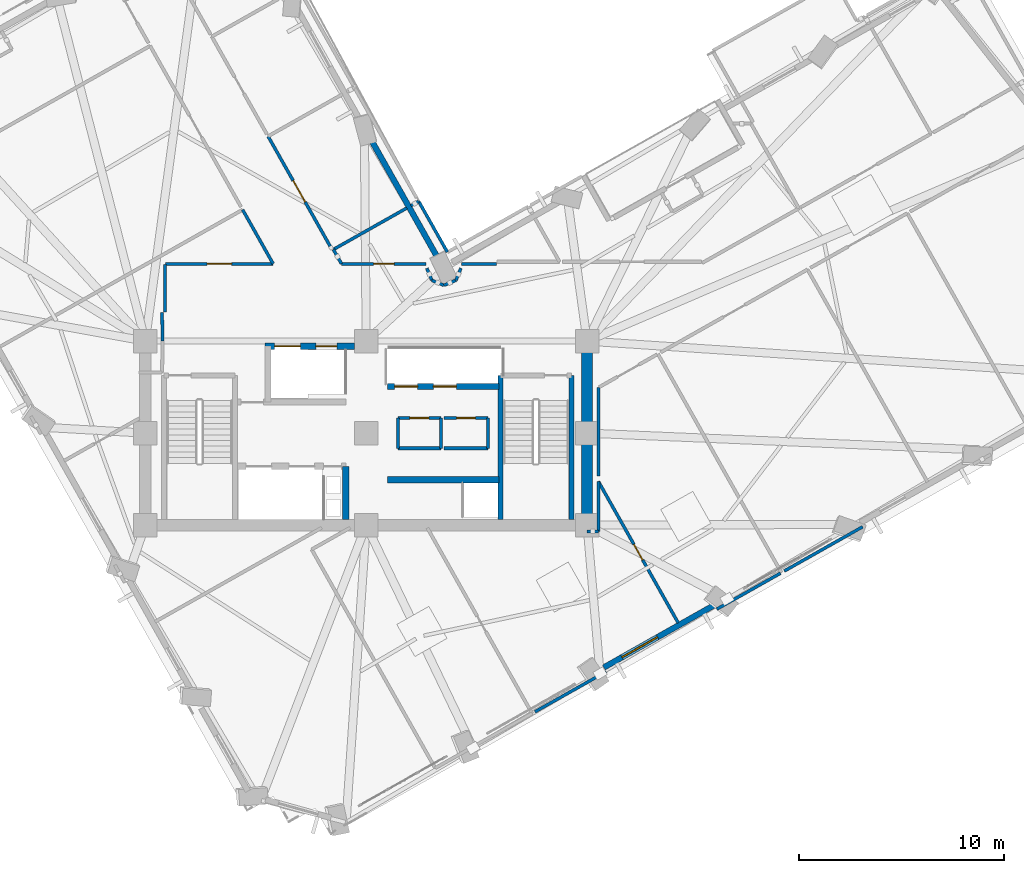
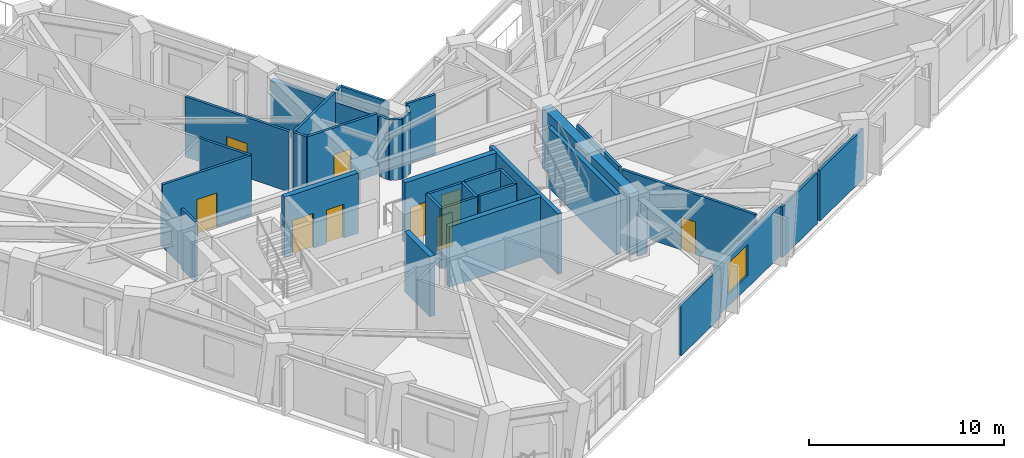
# One storey, part 11 of 18: 38 walls, 10 doors, 1 window, 11 openings.
"""IFC4 building model written with IfcOpenShell, lengths in metres."""

from ifc_helpers import new_model, si_unit, direction, frame, frame_2d, origin, place, context, subcontext, project, spatial, rectangle, extrude, material, layer, layer_set, type_object, element, fill, save


model = new_model("IFC4")

# Units and contexts
model_context = context("Model", 3, precision=1e-05, world=origin(), true_north=direction((0.0, 1.0)))
body_context = subcontext(model_context, "Body", "Model", "MODEL_VIEW")
ifc_project = project(units=[si_unit("LENGTHUNIT", "METRE"), si_unit("AREAUNIT", "SQUARE_METRE"), si_unit("VOLUMEUNIT", "CUBIC_METRE"), si_unit("PLANEANGLEUNIT", "RADIAN"), si_unit("MASSUNIT", "GRAM", prefix="KILO")], contexts=[model_context])

# Site, building, storey
site_placement = place(None, origin())
site = spatial("IfcSite", under=ifc_project, at=site_placement, CompositionType="ELEMENT")
building_placement = place(site_placement, origin())
building = spatial("IfcBuilding", under=site, at=building_placement, Name="Gaonmaruhae Medical Tower", CompositionType="ELEMENT")
storey_placement = place(building_placement, frame((0.0, 0.0, 149.800048828125)))
storey = spatial("IfcBuildingStorey", under=building, at=storey_placement, Name="L35", CompositionType="ELEMENT", Elevation=149.800048828125)

# Wall
ifc_material_1 = material(Name="Concrete C50/60", Category="concrete")
ifc_layer_1 = layer(ifc_material_1, 0.550048828125)
ifc_layer_set_1 = layer_set([ifc_layer_1], Name="Concrete C50/60")
wall_type_1 = type_object("IfcWallType", Name="CW-550 Mid-High Core Shear Wall", PredefinedType="SHEAR", material=ifc_layer_set_1)
wall_1_placement = place(storey_placement, frame((35.60009765625, 7.800048828125, 0.0), z_axis=(0.0, 0.0, 1.0), x_axis=(0.0, 1.0, 0.0)))
element("IfcWall", 1, at=wall_1_placement, inside=storey, type_object=wall_type_1, Name="L35 Core Shear Wall CSW-E1", PredefinedType="SHEAR", context=body_context, shape_type="SweptSolid", body=[
    extrude(rectangle(XDim=9.0, YDim=0.550048828125, at=frame_2d((4.5, 0.0))), origin(), (0.0, 0.0, 1.0), 3.780029296875),
])

# Wall, opening, window
ifc_material_2 = material(Name="Precast concrete C45/55", Category="concrete")
ifc_layer_2 = layer(ifc_material_2, 0.280029296875)
ifc_layer_set_2 = layer_set([ifc_layer_2], Name="Precast concrete C45/55")
wall_type_2 = type_object("IfcWallType", Name="EW-280 Upper Precast Masonry-Frame Facade Wall", PredefinedType="SOLIDWALL", material=ifc_layer_set_2)
wall_2_placement = place(storey_placement, frame((41.830322265625, 3.8955078125, 0.0), z_axis=(0.0, 0.0, 1.0), x_axis=(-0.870772762929, -0.491685667211, 0.0)))
wall_2 = element("IfcWall", 2, at=wall_2_placement, inside=storey, type_object=wall_type_2, Name="L35 Precast Masonry-Frame Wall S03-S04", PredefinedType="SOLIDWALL", context=body_context, shape_type="SweptSolid", body=[
    extrude(rectangle(XDim=6.214111328125, YDim=0.280029296875, at=frame_2d((3.10693359375, 0.0))), origin(), (0.0, 0.0, 1.0), 3.1650390625),
])
opening_1_placement = place(wall_2_placement, frame((3.197509765625, 0.0, 0.75)))
opening_1 = element("IfcOpeningElement", 3, at=opening_1_placement, cuts=wall_2, Name="Opening WN-02", PredefinedType="OPENING", context=body_context, shape_type="SweptSolid", body=[
    extrude(rectangle(XDim=2.0, YDim=1.949951171875, at=frame_2d((1.0, 0.97509765625))), frame((0.0, 0.14990234375, 0.0), z_axis=(0.0, -1.0, 0.0), x_axis=(1.0, 0.0, 0.0)), (0.0, 0.0, 1.0), 0.300048828125),
])
ifc_material_3 = material(Name="Anodised aluminium and Low-E double glazing", Category="aluminium")
window_type = type_object("IfcWindowType", Name="WN-02 Double-Bed Ward Punched Window 2000x1950", PartitioningType="SINGLE_PANEL", PredefinedType="WINDOW", material=ifc_material_3)
window_placement = place(opening_1_placement, origin())
window = element("IfcWindow", 4, at=window_placement, inside=storey, type_object=window_type, Name="L35 Modular Facade Window S03", OverallHeight=1.949951171875, OverallWidth=2.0, PartitioningType="SINGLE_PANEL", PredefinedType="WINDOW", context=body_context, shape_type="SweptSolid", body=[
    extrude(rectangle(XDim=2.0, YDim=1.949951171875, at=frame_2d((1.0, 0.97509765625))), frame((0.0, 0.030029296875, 0.0), z_axis=(0.0, -1.0, 0.0), x_axis=(1.0, 0.0, 0.0)), (0.0, 0.0, 1.0), 0.06005859375),
])
fill(opening_1, window)

# Walls
wall_3_placement = place(storey_placement, frame((28.3427734375, 20.788818359375, 0.0), z_axis=(0.0, 0.0, 1.0), x_axis=(-0.491647818014, 0.87079413356, 0.0)))
element("IfcWall", 5, at=wall_3_placement, inside=storey, type_object=wall_type_2, Name="L35 Precast Masonry-Frame Wall KN01-NE01", PredefinedType="SOLIDWALL", context=body_context, shape_type="SweptSolid", body=[
    extrude(rectangle(XDim=6.760009765625, YDim=0.280029296875, at=frame_2d((3.3798828125, 0.0))), origin(), (0.0, 0.0, 1.0), 3.1650390625),
])
ifc_material_4 = material(Name="Gypsum board partition", Category="gypsum")
ifc_layer_3 = layer(ifc_material_4, 0.14990234375)
ifc_layer_set_3 = layer_set([ifc_layer_3], Name="Gypsum board partition")
wall_type_3 = type_object("IfcWallType", Name="PW-150 Rated Clinical Corridor Partition", PredefinedType="PARTITIONING", material=ifc_layer_set_3)
wall_4_placement = place(storey_placement, frame((26.35009765625, 11.56005859375, 0.0), z_axis=(0.0, 0.0, 1.0), x_axis=(0.0, 1.0, 0.0)))
element("IfcWall", 6, at=wall_4_placement, inside=storey, type_object=wall_type_3, Name="L35 Interior Partition L35-CS1-1", PredefinedType="PARTITIONING", context=body_context, shape_type="SweptSolid", body=[
    extrude(rectangle(XDim=1.47998046875, YDim=0.14990234375, at=frame_2d((0.739990234375, 0.0))), origin(), (0.0, 0.0, 1.0), 3.780029296875),
])

# Wall, opening, door
wall_5_placement = place(storey_placement, frame((26.35009765625, 13.0400390625, 0.0), z_axis=(0.0, 0.0, 1.0), x_axis=(1.0, 0.0, 0.0)))
wall_5 = element("IfcWall", 7, at=wall_5_placement, inside=storey, type_object=wall_type_3, Name="L35 Interior Partition L35-CS1-2", PredefinedType="PARTITIONING", context=body_context, shape_type="SweptSolid", body=[
    extrude(rectangle(XDim=2.099853515625, YDim=0.14990234375, at=frame_2d((1.0498046875, 0.0))), origin(), (0.0, 0.0, 1.0), 3.780029296875),
])
opening_2_placement = place(wall_5_placement, frame((0.590087890625, 0.0, 0.0)))
opening_2 = element("IfcOpeningElement", 8, at=opening_2_placement, cuts=wall_5, Name="Opening UD-01", PredefinedType="OPENING", context=body_context, shape_type="SweptSolid", body=[
    extrude(rectangle(XDim=0.919921875, YDim=2.10009765625, at=frame_2d((0.4599609375, 1.050048828125))), frame((0.0, 0.0849609375, 0.0), z_axis=(0.0, -1.0, 0.0), x_axis=(1.0, 0.0, 0.0)), (0.0, 0.0, 1.0), 0.169921875),
])
ifc_material_5 = material(Name="Powder-coated steel utility door", Category="steel")
door_type_1 = type_object("IfcDoorType", Name="UD-01 Toilet, Utility & Housekeeping Door 920x2100", OperationType="NOTDEFINED", PredefinedType="DOOR", material=ifc_material_5)
door_1_placement = place(opening_2_placement, origin())
door_1 = element("IfcDoor", 9, at=door_1_placement, inside=storey, type_object=door_type_1, Name="L35 Accessible Staff Toilet Door", OperationType="SINGLE_SWING_LEFT", OverallHeight=2.10009765625, OverallWidth=0.919921875, PredefinedType="DOOR", context=body_context, shape_type="SweptSolid", body=[
    extrude(rectangle(XDim=0.919921875, YDim=2.10009765625, at=frame_2d((0.4599609375, 1.050048828125))), frame((0.0, 0.02490234375, 0.0), z_axis=(0.0, -1.0, 0.0), x_axis=(1.0, 0.0, 0.0)), (0.0, 0.0, 1.0), 0.050048828125),
])
fill(opening_2, door_1)

# Walls
wall_6_placement = place(storey_placement, frame((28.449951171875, 13.0400390625, 0.0), z_axis=(0.0, 0.0, 1.0), x_axis=(0.0, -1.0, 0.0)))
element("IfcWall", 10, at=wall_6_placement, inside=storey, type_object=wall_type_3, Name="L35 Interior Partition L35-CS1-3", PredefinedType="PARTITIONING", context=body_context, shape_type="SweptSolid", body=[
    extrude(rectangle(XDim=1.47998046875, YDim=0.14990234375, at=frame_2d((0.739990234375, 0.0))), origin(), (0.0, 0.0, 1.0), 3.780029296875),
])
wall_7_placement = place(storey_placement, frame((28.449951171875, 11.56005859375, 0.0), z_axis=(0.0, 0.0, 1.0), x_axis=(-1.0, 0.0, 0.0)))
element("IfcWall", 11, at=wall_7_placement, inside=storey, type_object=wall_type_3, Name="L35 Interior Partition L35-CS1-4", PredefinedType="PARTITIONING", context=body_context, shape_type="SweptSolid", body=[
    extrude(rectangle(XDim=2.099853515625, YDim=0.14990234375, at=frame_2d((1.0498046875, 0.0))), origin(), (0.0, 0.0, 1.0), 3.780029296875),
])

# Wall, opening, door
wall_8_placement = place(storey_placement, frame((28.60009765625, 13.0400390625, 0.0), z_axis=(0.0, 0.0, 1.0), x_axis=(1.0, 0.0, 0.0)))
wall_8 = element("IfcWall", 12, at=wall_8_placement, inside=storey, type_object=wall_type_3, Name="L35 Interior Partition L35-CS2-5", PredefinedType="PARTITIONING", context=body_context, shape_type="SweptSolid", body=[
    extrude(rectangle(XDim=2.14990234375, YDim=0.14990234375, at=frame_2d((1.074951171875, 0.0))), origin(), (0.0, 0.0, 1.0), 3.780029296875),
])
opening_3_placement = place(wall_8_placement, frame((0.614990234375, 0.0, 0.0)))
opening_3 = element("IfcOpeningElement", 13, at=opening_3_placement, cuts=wall_8, Name="Opening UD-01", PredefinedType="OPENING", context=body_context, shape_type="SweptSolid", body=[
    extrude(rectangle(XDim=0.919921875, YDim=2.10009765625, at=frame_2d((0.4599609375, 1.050048828125))), frame((0.0, 0.0849609375, 0.0), z_axis=(0.0, -1.0, 0.0), x_axis=(1.0, 0.0, 0.0)), (0.0, 0.0, 1.0), 0.169921875),
])
door_2_placement = place(opening_3_placement, origin())
door_2 = element("IfcDoor", 14, at=door_2_placement, inside=storey, type_object=door_type_1, Name="L35 Biomedical Telemetry Closet Door", OperationType="SINGLE_SWING_RIGHT", OverallHeight=2.10009765625, OverallWidth=0.919921875, PredefinedType="DOOR", context=body_context, shape_type="SweptSolid", body=[
    extrude(rectangle(XDim=0.919921875, YDim=2.10009765625, at=frame_2d((0.4599609375, 1.050048828125))), frame((0.0, 0.02490234375, 0.0), z_axis=(0.0, -1.0, 0.0), x_axis=(1.0, 0.0, 0.0)), (0.0, 0.0, 1.0), 0.050048828125),
])
fill(opening_3, door_2)

# Walls
wall_9_placement = place(storey_placement, frame((30.75, 13.0400390625, 0.0), z_axis=(0.0, 0.0, 1.0), x_axis=(0.0, -1.0, 0.0)))
element("IfcWall", 15, at=wall_9_placement, inside=storey, type_object=wall_type_3, Name="L35 Interior Partition L35-CS2-6", PredefinedType="PARTITIONING", context=body_context, shape_type="SweptSolid", body=[
    extrude(rectangle(XDim=1.47998046875, YDim=0.14990234375, at=frame_2d((0.739990234375, 0.0))), origin(), (0.0, 0.0, 1.0), 3.780029296875),
])
wall_10_placement = place(storey_placement, frame((30.75, 11.56005859375, 0.0), z_axis=(0.0, 0.0, 1.0), x_axis=(-1.0, 0.0, 0.0)))
element("IfcWall", 16, at=wall_10_placement, inside=storey, type_object=wall_type_3, Name="L35 Interior Partition L35-CS2-7", PredefinedType="PARTITIONING", context=body_context, shape_type="SweptSolid", body=[
    extrude(rectangle(XDim=2.14990234375, YDim=0.14990234375, at=frame_2d((1.074951171875, 0.0))), origin(), (0.0, 0.0, 1.0), 3.780029296875),
])

# Wall, opening, door
wall_11_placement = place(storey_placement, frame((36.14990234375, 9.94091796875, 0.0), z_axis=(0.0, 0.0, 1.0), x_axis=(0.491673321282, -0.870779733997, 0.0)))
wall_11 = element("IfcWall", 17, at=wall_11_placement, inside=storey, type_object=wall_type_3, Name="L35 Interior Partition L35-SUP03-12", PredefinedType="PARTITIONING", context=body_context, shape_type="SweptSolid", body=[
    extrude(rectangle(XDim=7.9423828125, YDim=0.14990234375, at=frame_2d((3.97119140625, 0.0))), origin(), (0.0, 0.0, 1.0), 3.780029296875),
])
opening_4_placement = place(wall_11_placement, frame((3.541015625, 0.0, 0.0)))
opening_4 = element("IfcOpeningElement", 18, at=opening_4_placement, cuts=wall_11, Name="Opening AD-01", PredefinedType="OPENING", context=body_context, shape_type="SweptSolid", body=[
    extrude(rectangle(XDim=0.860107421875, YDim=2.06005859375, at=frame_2d((0.43017578125, 1.030029296875))), frame((0.0, 0.0849609375, 0.0), z_axis=(0.0, -1.0, 0.0), x_axis=(1.0, 0.0, 0.0)), (0.0, 0.0, 1.0), 0.169921875),
])
ifc_material_6 = material(Name="Powder-coated steel access door", Category="steel")
door_type_2 = type_object("IfcDoorType", Name="AD-01 Riser & Closet Access Fire Door 860x2060", OperationType="NOTDEFINED", PredefinedType="DOOR", material=ifc_material_6)
door_3_placement = place(opening_4_placement, origin())
door_3 = element("IfcDoor", 19, at=door_3_placement, inside=storey, type_object=door_type_2, Name="L35 Clinical Biomedical Charting Office Sliding Door", OperationType="SLIDING_TO_LEFT", OverallHeight=2.06005859375, OverallWidth=0.860107421875, PredefinedType="DOOR", context=body_context, shape_type="SweptSolid", body=[
    extrude(rectangle(XDim=0.860107421875, YDim=2.06005859375, at=frame_2d((0.43017578125, 1.030029296875))), frame((0.0, 0.02490234375, 0.0), z_axis=(0.0, -1.0, 0.0), x_axis=(1.0, 0.0, 0.0)), (0.0, 0.0, 1.0), 0.050048828125),
])
fill(opening_4, door_3)

# Walls
wall_12_placement = place(storey_placement, frame((36.531982421875, 0.639892578125, 0.0), z_axis=(0.0, 0.0, 1.0), x_axis=(-0.870756026747, -0.491715305725, 0.0)))
element("IfcWall", 20, at=wall_12_placement, inside=storey, type_object=wall_type_3, Name="L35 Interior Partition L35-SUP03-13", PredefinedType="PARTITIONING", context=body_context, shape_type="SweptSolid", body=[
    extrude(rectangle(XDim=3.999755859375, YDim=0.14990234375, at=frame_2d((2.0, 0.0))), origin(), (0.0, 0.0, 1.0), 3.1650390625),
])
wall_13_placement = place(storey_placement, frame((35.60009765625, 7.5, 0.0), z_axis=(0.0, 0.0, 1.0), x_axis=(1.0, 0.0, 0.0)))
element("IfcWall", 21, at=wall_13_placement, inside=storey, type_object=wall_type_3, Name="L35 Interior Partition L35-SUP03-14", PredefinedType="PARTITIONING", context=body_context, shape_type="SweptSolid", body=[
    extrude(rectangle(XDim=0.5498046875, YDim=0.14990234375, at=frame_2d((0.27490234375, 0.0))), origin(), (0.0, 0.0, 1.0), 2.764892578125),
])
wall_14_placement = place(storey_placement, frame((36.14990234375, 7.5, 0.0), z_axis=(0.0, 0.0, 1.0), x_axis=(0.0, 1.0, 0.0)))
element("IfcWall", 22, at=wall_14_placement, inside=storey, type_object=wall_type_3, Name="L35 Interior Partition L35-SUP03-15", PredefinedType="PARTITIONING", context=body_context, shape_type="SweptSolid", body=[
    extrude(rectangle(XDim=2.44091796875, YDim=0.14990234375, at=frame_2d((1.220458984375, 0.0))), origin(), (0.0, 0.0, 1.0), 2.764892578125),
])
wall_15_placement = place(storey_placement, frame((45.056884765625, 5.452880859375, 0.0), z_axis=(0.0, 0.0, 1.0), x_axis=(-0.87075356708, -0.49171966141, 0.0)))
element("IfcWall", 23, at=wall_15_placement, inside=storey, type_object=wall_type_3, Name="L35 Interior Partition L35-SUP04-17", PredefinedType="PARTITIONING", context=body_context, shape_type="SweptSolid", body=[
    extrude(rectangle(XDim=3.57470703125, YDim=0.14990234375, at=frame_2d((1.787353515625, 0.0))), origin(), (0.0, 0.0, 1.0), 3.1650390625),
])
wall_16_placement = place(storey_placement, frame((36.14990234375, 10.195068359375, 0.0), z_axis=(0.0, 0.0, 1.0), x_axis=(0.0, 1.0, 0.0)))
element("IfcWall", 24, at=wall_16_placement, inside=storey, type_object=wall_type_3, Name="L35 Interior Partition L35-SUP04-18", PredefinedType="PARTITIONING", context=body_context, shape_type="SweptSolid", body=[
    extrude(rectangle(XDim=4.330810546875, YDim=0.14990234375, at=frame_2d((2.16552734375, 0.0))), origin(), (0.0, 0.0, 1.0), 3.780029296875),
])
wall_17_placement = place(storey_placement, frame((49.074951171875, 7.721923828125, 0.0), z_axis=(0.0, 0.0, 1.0), x_axis=(-0.870810528697, -0.491618778233, 0.0)))
element("IfcWall", 25, at=wall_17_placement, inside=storey, type_object=wall_type_3, Name="L35 Interior Partition L35-SUP05-22", PredefinedType="PARTITIONING", context=body_context, shape_type="SweptSolid", body=[
    extrude(rectangle(XDim=4.40380859375, YDim=0.14990234375, at=frame_2d((2.201904296875, 0.0))), origin(), (0.0, 0.0, 1.0), 3.1650390625),
])
wall_18_placement = place(storey_placement, frame((14.969970703125, 20.550048828125, 0.0), z_axis=(0.0, 0.0, 1.0), x_axis=(0.0, -1.0, 0.0)))
element("IfcWall", 26, at=wall_18_placement, inside=storey, type_object=wall_type_3, Name="L35 Interior Partition L35-WOF09-37", PredefinedType="PARTITIONING", context=body_context, shape_type="SweptSolid", body=[
    extrude(rectangle(XDim=2.320068359375, YDim=0.14990234375, at=frame_2d((1.16015625, 0.0))), origin(), (0.0, 0.0, 1.0), 2.764892578125),
])
wall_19_placement = place(storey_placement, frame((14.820068359375, 18.199951171875, 0.0), z_axis=(0.0, 0.0, 1.0), x_axis=(0.01499656939, -0.99988754513, 0.0)))
element("IfcWall", 27, at=wall_19_placement, inside=storey, type_object=wall_type_3, Name="L35 Interior Partition L35-WOF09-38", PredefinedType="PARTITIONING", context=body_context, shape_type="SweptSolid", body=[
    extrude(rectangle(XDim=1.400146484375, YDim=0.14990234375, at=frame_2d((0.7001953125, 0.0))), origin(), (0.0, 0.0, 1.0), 3.780029296875),
])
wall_20_placement = place(storey_placement, frame((18.757080078125, 23.22412109375, 0.0), z_axis=(0.0, 0.0, 1.0), x_axis=(0.491673041497, -0.870779891973, 0.0)))
element("IfcWall", 28, at=wall_20_placement, inside=storey, type_object=wall_type_3, Name="L35 Interior Partition L35-WOF09-43", PredefinedType="PARTITIONING", context=body_context, shape_type="SweptSolid", body=[
    extrude(rectangle(XDim=3.036376953125, YDim=0.14990234375, at=frame_2d((1.51806640625, 0.0))), origin(), (0.0, 0.0, 1.0), 3.780029296875),
])

# Wall, opening, door
wall_21_placement = place(storey_placement, frame((20.25, 20.580078125, 0.0), z_axis=(0.0, 0.0, 1.0), x_axis=(-1.0, 0.0, 0.0)))
wall_21 = element("IfcWall", 29, at=wall_21_placement, inside=storey, type_object=wall_type_3, Name="L35 Interior Partition L35-WOF09-44", PredefinedType="PARTITIONING", context=body_context, shape_type="SweptSolid", body=[
    extrude(rectangle(XDim=5.2529296875, YDim=0.14990234375, at=frame_2d((2.62646484375, 0.0))), origin(), (0.0, 0.0, 1.0), 3.780029296875),
])
opening_5_placement = place(wall_21_placement, frame((2.026611328125, 0.0, 0.0)))
opening_5 = element("IfcOpeningElement", 30, at=opening_5_placement, cuts=wall_21, Name="Opening CD-02", PredefinedType="OPENING", context=body_context, shape_type="SweptSolid", body=[
    extrude(rectangle(XDim=1.199951171875, YDim=2.14990234375, at=frame_2d((0.60009765625, 1.074951171875))), frame((0.0, 0.0849609375, 0.0), z_axis=(0.0, -1.0, 0.0), x_axis=(1.0, 0.0, 0.0)), (0.0, 0.0, 1.0), 0.169921875),
])
ifc_material_7 = material(Name="Antimicrobial laminate timber fire door", Category="wood")
door_type_3 = type_object("IfcDoorType", Name="CD-02 Clinical Treatment & Procedure Door 1200x2150", OperationType="NOTDEFINED", PredefinedType="DOOR", material=ifc_material_7)
door_4_placement = place(opening_5_placement, origin())
door_4 = element("IfcDoor", 31, at=door_4_placement, inside=storey, type_object=door_type_3, Name="L35 Ward Physician Reporting Office Door", OperationType="SINGLE_SWING_RIGHT", OverallHeight=2.14990234375, OverallWidth=1.199951171875, PredefinedType="DOOR", context=body_context, shape_type="SweptSolid", body=[
    extrude(rectangle(XDim=1.199951171875, YDim=2.14990234375, at=frame_2d((0.60009765625, 1.074951171875))), frame((0.0, 0.02490234375, 0.0), z_axis=(0.0, -1.0, 0.0), x_axis=(1.0, 0.0, 0.0)), (0.0, 0.0, 1.0), 0.050048828125),
])
fill(opening_5, door_4)

# Walls
wall_22_placement = place(storey_placement, frame((31.169921875, 20.580078125, 0.0), z_axis=(0.0, 0.0, 1.0), x_axis=(-0.999999834995, -0.000574464935, 0.0)))
element("IfcWall", 32, at=wall_22_placement, inside=storey, type_object=wall_type_3, Name="L35 Interior Partition L35-IE01-63", PredefinedType="PARTITIONING", context=body_context, shape_type="SweptSolid", body=[
    extrude(rectangle(XDim=1.699951171875, YDim=0.14990234375, at=frame_2d((0.85009765625, 0.0))), origin(), (0.0, 0.0, 1.0), 3.780029296875),
])
wall_23_placement = place(storey_placement, frame((29.430908203125, 20.363037109375, 0.0), z_axis=(0.0, 0.0, 1.0), x_axis=(-0.383285413275, -0.923629954024, 0.0)))
element("IfcWall", 33, at=wall_23_placement, inside=storey, type_object=wall_type_3, Name="L35 Interior Partition L35-IE01-64", PredefinedType="PARTITIONING", context=body_context, shape_type="SweptSolid", body=[
    extrude(rectangle(XDim=0.638916015625, YDim=0.14990234375, at=frame_2d((0.3193359375, 0.0))), origin(), (0.0, 0.0, 1.0), 3.780029296875),
])
wall_24_placement = place(storey_placement, frame((29.18603515625, 19.77294921875, 0.0), z_axis=(0.0, 0.0, 1.0), x_axis=(-0.923946844683, -0.382520885967, 0.0)))
element("IfcWall", 34, at=wall_24_placement, inside=storey, type_object=wall_type_3, Name="L35 Interior Partition L35-IE01-65", PredefinedType="PARTITIONING", context=body_context, shape_type="SweptSolid", body=[
    extrude(rectangle(XDim=0.6376953125, YDim=0.14990234375, at=frame_2d((0.31884765625, 0.0))), origin(), (0.0, 0.0, 1.0), 3.780029296875),
])
wall_25_placement = place(storey_placement, frame((28.596923828125, 19.529052734375, 0.0), z_axis=(0.0, 0.0, 1.0), x_axis=(-0.924114659462, 0.382115291723, 0.0)))
element("IfcWall", 35, at=wall_25_placement, inside=storey, type_object=wall_type_3, Name="L35 Interior Partition L35-IE01-66", PredefinedType="PARTITIONING", context=body_context, shape_type="SweptSolid", body=[
    extrude(rectangle(XDim=0.63818359375, YDim=0.14990234375, at=frame_2d((0.319091796875, 0.0))), origin(), (0.0, 0.0, 1.0), 3.780029296875),
])
wall_26_placement = place(storey_placement, frame((28.007080078125, 19.77294921875, 0.0), z_axis=(0.0, 0.0, 1.0), x_axis=(-0.382306769343, 0.924035461503, 0.0)))
element("IfcWall", 36, at=wall_26_placement, inside=storey, type_object=wall_type_3, Name="L35 Interior Partition L35-IE01-67", PredefinedType="PARTITIONING", context=body_context, shape_type="SweptSolid", body=[
    extrude(rectangle(XDim=0.638671875, YDim=0.14990234375, at=frame_2d((0.3193359375, 0.0))), origin(), (0.0, 0.0, 1.0), 3.780029296875),
])

# Wall, opening, door
wall_27_placement = place(storey_placement, frame((27.72705078125, 20.5791015625, 0.0), z_axis=(0.0, 0.0, 1.0), x_axis=(-0.999999972112, 0.000236169327, 0.0)))
wall_27 = element("IfcWall", 37, at=wall_27_placement, inside=storey, type_object=wall_type_3, Name="L35 Interior Partition L35-IE01-68", PredefinedType="PARTITIONING", context=body_context, shape_type="SweptSolid", body=[
    extrude(rectangle(XDim=4.135009765625, YDim=0.14990234375, at=frame_2d((2.0673828125, 0.0))), origin(), (0.0, 0.0, 1.0), 3.780029296875),
])
opening_6_placement = place(wall_27_placement, frame((1.5673828125, 0.0, 0.0)))
opening_6 = element("IfcOpeningElement", 38, at=opening_6_placement, cuts=wall_27, Name="Opening CD-01", PredefinedType="OPENING", context=body_context, shape_type="SweptSolid", body=[
    extrude(rectangle(XDim=1.0, YDim=2.1201171875, at=frame_2d((0.5, 1.06005859375))), frame((0.0, 0.0849609375, 0.0), z_axis=(0.0, -1.0, 0.0), x_axis=(1.0, 0.0, 0.0)), (0.0, 0.0, 1.0), 0.169921875),
])
door_type_4 = type_object("IfcDoorType", Name="CD-01 Consultation & Physician Office Door 1000x2120", OperationType="NOTDEFINED", PredefinedType="DOOR", material=ifc_material_7)
door_5_placement = place(opening_6_placement, origin())
door_5 = element("IfcDoor", 39, at=door_5_placement, inside=storey, type_object=door_type_4, Name="L35 Central Clinical Nurse Station Door", OperationType="SINGLE_SWING_RIGHT", OverallHeight=2.1201171875, OverallWidth=1.0, PredefinedType="DOOR", context=body_context, shape_type="SweptSolid", body=[
    extrude(rectangle(XDim=1.0, YDim=2.1201171875, at=frame_2d((0.5, 1.06005859375))), frame((0.0, 0.02490234375, 0.0), z_axis=(0.0, -1.0, 0.0), x_axis=(1.0, 0.0, 0.0)), (0.0, 0.0, 1.0), 0.050048828125),
])
fill(opening_6, door_5)

# Walls
wall_28_placement = place(storey_placement, frame((23.592041015625, 20.580078125, 0.0), z_axis=(0.0, 0.0, 1.0), x_axis=(-0.492407334618, 0.870364875678, 0.0)))
element("IfcWall", 40, at=wall_28_placement, inside=storey, type_object=wall_type_3, Name="L35 Interior Partition L35-IE01-69", PredefinedType="PARTITIONING", context=body_context, shape_type="SweptSolid", body=[
    extrude(rectangle(XDim=0.80419921875, YDim=0.14990234375, at=frame_2d((0.402099609375, 0.0))), origin(), (0.0, 0.0, 1.0), 3.780029296875),
])
wall_29_placement = place(storey_placement, frame((23.196044921875, 21.280029296875, 0.0), z_axis=(0.0, 0.0, 1.0), x_axis=(0.870792023314, 0.491651555609, 0.0)))
element("IfcWall", 41, at=wall_29_placement, inside=storey, type_object=wall_type_3, Name="L35 Interior Partition L35-IE01-70", PredefinedType="PARTITIONING", context=body_context, shape_type="SweptSolid", body=[
    extrude(rectangle(XDim=4.125, YDim=0.14990234375, at=frame_2d((2.0625, 0.0))), origin(), (0.0, 0.0, 1.0), 3.780029296875),
])
wall_30_placement = place(storey_placement, frame((26.989013671875, 23.4208984375, 0.0), z_axis=(0.0, 0.0, 1.0), x_axis=(0.870070398862, 0.492927480492, 0.0)))
element("IfcWall", 42, at=wall_30_placement, inside=storey, type_object=wall_type_3, Name="L35 Interior Partition L35-IE01-71", PredefinedType="PARTITIONING", context=body_context, shape_type="SweptSolid", body=[
    extrude(rectangle(XDim=0.434326171875, YDim=0.14990234375, at=frame_2d((0.21728515625, 0.0))), origin(), (0.0, 0.0, 1.0), 3.780029296875),
])
wall_31_placement = place(storey_placement, frame((27.366943359375, 23.635009765625, 0.0), z_axis=(0.0, 0.0, 1.0), x_axis=(0.49186251725, -0.87067288009, 0.0)))
element("IfcWall", 43, at=wall_31_placement, inside=storey, type_object=wall_type_3, Name="L35 Interior Partition L35-IE01-72", PredefinedType="PARTITIONING", context=body_context, shape_type="SweptSolid", body=[
    extrude(rectangle(XDim=2.8505859375, YDim=0.14990234375, at=frame_2d((1.42529296875, 0.0))), origin(), (0.0, 0.0, 1.0), 3.780029296875),
])

# Wall, opening, door
wall_32_placement = place(storey_placement, frame((23.041015625, 21.43310546875, 0.0), z_axis=(0.0, 0.0, 1.0), x_axis=(-0.49170838603, 0.870759934258, 0.0)))
wall_32 = element("IfcWall", 44, at=wall_32_placement, inside=storey, type_object=wall_type_3, Name="L35 Interior Partition L35-IN01-96", PredefinedType="PARTITIONING", context=body_context, shape_type="SweptSolid", body=[
    extrude(rectangle(XDim=6.1806640625, YDim=0.14990234375, at=frame_2d((3.09033203125, 0.0))), origin(), (0.0, 0.0, 1.0), 3.780029296875),
])
opening_7_placement = place(wall_32_placement, frame((2.490478515625, 0.0, 0.0)))
opening_7 = element("IfcOpeningElement", 45, at=opening_7_placement, cuts=wall_32, Name="Opening CD-02", PredefinedType="OPENING", context=body_context, shape_type="SweptSolid", body=[
    extrude(rectangle(XDim=1.199951171875, YDim=2.14990234375, at=frame_2d((0.60009765625, 1.074951171875))), frame((0.0, 0.0849609375, 0.0), z_axis=(0.0, -1.0, 0.0), x_axis=(1.0, 0.0, 0.0)), (0.0, 0.0, 1.0), 0.169921875),
])
door_6_placement = place(opening_7_placement, origin())
door_6 = element("IfcDoor", 46, at=door_6_placement, inside=storey, type_object=door_type_3, Name="L35 Physician Consultation Office Door", OperationType="SINGLE_SWING_LEFT", OverallHeight=2.14990234375, OverallWidth=1.199951171875, PredefinedType="DOOR", context=body_context, shape_type="SweptSolid", body=[
    extrude(rectangle(XDim=1.199951171875, YDim=2.14990234375, at=frame_2d((0.60009765625, 1.074951171875))), frame((0.0, 0.02490234375, 0.0), z_axis=(0.0, -1.0, 0.0), x_axis=(1.0, 0.0, 0.0)), (0.0, 0.0, 1.0), 0.050048828125),
])
fill(opening_7, door_6)

# Walls
ifc_layer_4 = layer(ifc_material_1, 0.239990234375)
ifc_layer_set_4 = layer_set([ifc_layer_4], Name="Concrete C50/60")
wall_type_4 = type_object("IfcWallType", Name="SW-240 Dogleg Stair Tight Shaft Wall", PredefinedType="SOLIDWALL", material=ifc_layer_set_4)
for number, where, z_axis, x_axis, name in (
    (47, (34.830078125, 15.1201171875, 0.0), (0.0, 0.0, 1.0), (0.0, -1.0, 0.0), "L35 ST-02 Stair Shaft Wall SHW-ST-02-E"),
    (48, (31.3701171875, 8.074951171875, 0.0), (0.0, 0.0, 1.0), (0.0, 1.0, 0.0), "L35 ST-02 Stair Shaft Wall SHW-ST-02-W"),
):
    element("IfcWall", number, at=place(storey_placement, frame(where, z_axis=z_axis, x_axis=x_axis)), inside=storey, type_object=wall_type_4, Name=name, PredefinedType="SOLIDWALL", context=body_context, shape_type="SweptSolid", body=[
        extrude(rectangle(XDim=7.045166015625, YDim=0.239990234375, at=frame_2d((3.5224609375, 0.0))), origin(), (0.0, 0.0, 1.0), 3.780029296875),
    ])

# Wall, openings, doors
ifc_layer_5 = layer(ifc_material_1, 0.300048828125)
ifc_layer_set_5 = layer_set([ifc_layer_5], Name="Concrete C50/60")
wall_type_5 = type_object("IfcWallType", Name="SW-300 Stair & Lift Hoistway Shaft Wall", PredefinedType="SOLIDWALL", material=ifc_layer_set_5)
wall_33_placement = place(storey_placement, frame((19.85009765625, 16.550048828125, 0.0), z_axis=(0.0, 0.0, 1.0), x_axis=(1.0, 0.0, 0.0)))
wall_33 = element("IfcWall", 49, at=wall_33_placement, inside=storey, type_object=wall_type_5, Name="L35 Core Shear Wall CSW-NB", PredefinedType="SOLIDWALL", context=body_context, shape_type="SweptSolid", body=[
    extrude(rectangle(XDim=4.375, YDim=0.300048828125, at=frame_2d((2.1875, 0.0))), origin(), (0.0, 0.0, 1.0), 3.780029296875),
])
opening_8_placement = place(wall_33_placement, frame((0.47509765625, 0.0, 0.0)))
opening_8 = element("IfcOpeningElement", 50, at=opening_8_placement, cuts=wall_33, Name="Opening LD-F1", PredefinedType="OPENING", context=body_context, shape_type="SweptSolid", body=[
    extrude(rectangle(XDim=1.25, YDim=2.179931640625, at=frame_2d((0.625, 1.08984375))), frame((0.0, 0.16015625, 0.0), z_axis=(0.0, -1.0, 0.0), x_axis=(1.0, 0.0, 0.0)), (0.0, 0.0, 1.0), 0.320068359375),
])
opening_9_placement = place(wall_33_placement, frame((2.489990234375, 0.0, 0.0)))
opening_9 = element("IfcOpeningElement", 51, at=opening_9_placement, cuts=wall_33, Name="Opening LD-S1", PredefinedType="OPENING", context=body_context, shape_type="SweptSolid", body=[
    extrude(rectangle(XDim=1.02001953125, YDim=2.1201171875, at=frame_2d((0.510009765625, 1.06005859375))), frame((0.0, 0.16015625, 0.0), z_axis=(0.0, -1.0, 0.0), x_axis=(1.0, 0.0, 0.0)), (0.0, 0.0, 1.0), 0.320068359375),
])
ifc_material_8 = material(Name="Brushed stainless steel 316L landing door", Category="steel")
door_type_5 = type_object("IfcDoorType", Name="LD-F1 Firefighting & Bed Lift Sliding Landing Door 1250x2180", OperationType="NOTDEFINED", PredefinedType="DOOR", material=ifc_material_8)
door_7_placement = place(opening_8_placement, origin())
door_7 = element("IfcDoor", 52, at=door_7_placement, inside=storey, type_object=door_type_5, Name="L35 Service/Bed Lift Landing Door BDL-01", OperationType="DOUBLE_DOOR_SLIDING", OverallHeight=2.179931640625, OverallWidth=1.25, PredefinedType="DOOR", context=body_context, shape_type="SweptSolid", body=[
    extrude(rectangle(XDim=1.25, YDim=2.179931640625, at=frame_2d((0.625, 1.08984375))), frame((0.0, 0.02490234375, 0.0), z_axis=(0.0, -1.0, 0.0), x_axis=(1.0, 0.0, 0.0)), (0.0, 0.0, 1.0), 0.050048828125),
])
fill(opening_8, door_7)
ifc_material_9 = material(Name="Brushed stainless steel 304 landing door", Category="steel")
door_type_6 = type_object("IfcDoorType", Name="LD-S1 Service Lift Sliding Landing Door 1020x2120", OperationType="NOTDEFINED", PredefinedType="DOOR", material=ifc_material_9)
door_8_placement = place(opening_9_placement, origin())
door_8 = element("IfcDoor", 53, at=door_8_placement, inside=storey, type_object=door_type_6, Name="L35 Service/Bed Lift Landing Door SVL-01", OperationType="SLIDING_TO_LEFT", OverallHeight=2.1201171875, OverallWidth=1.02001953125, PredefinedType="DOOR", context=body_context, shape_type="SweptSolid", body=[
    extrude(rectangle(XDim=1.02001953125, YDim=2.1201171875, at=frame_2d((0.510009765625, 1.06005859375))), frame((0.0, 0.02490234375, 0.0), z_axis=(0.0, -1.0, 0.0), x_axis=(1.0, 0.0, 0.0)), (0.0, 0.0, 1.0), 0.050048828125),
])
fill(opening_9, door_8)

# Walls
wall_34_placement = place(storey_placement, frame((23.800048828125, 8.074951171875, 0.0), z_axis=(0.0, 0.0, 1.0), x_axis=(0.0, 1.0, 0.0)))
element("IfcWall", 54, at=wall_34_placement, inside=storey, type_object=wall_type_5, Name="L35 Shaft Enclosure Wall SHW-FFE", PredefinedType="SOLIDWALL", context=body_context, shape_type="SweptSolid", body=[
    extrude(rectangle(XDim=2.60498046875, YDim=0.300048828125, at=frame_2d((1.302490234375, 0.0))), origin(), (0.0, 0.0, 1.0), 3.780029296875),
])
wall_35_placement = place(storey_placement, frame((25.85009765625, 10.02001953125, 0.0), z_axis=(0.0, 0.0, 1.0), x_axis=(1.0, 0.0, 0.0)))
element("IfcWall", 55, at=wall_35_placement, inside=storey, type_object=wall_type_5, Name="L35 Shaft Enclosure Wall SHW-PLS", PredefinedType="SOLIDWALL", context=body_context, shape_type="SweptSolid", body=[
    extrude(rectangle(XDim=5.449951171875, YDim=0.300048828125, at=frame_2d((2.72509765625, 0.0))), origin(), (0.0, 0.0, 1.0), 3.780029296875),
])

# Wall, openings, doors
wall_36_placement = place(storey_placement, frame((25.85009765625, 14.580078125, 0.0), z_axis=(0.0, 0.0, 1.0), x_axis=(1.0, 0.0, 0.0)))
wall_36 = element("IfcWall", 56, at=wall_36_placement, inside=storey, type_object=wall_type_5, Name="L35 Shaft Enclosure Wall SHW-PLN", PredefinedType="SOLIDWALL", context=body_context, shape_type="SweptSolid", body=[
    extrude(rectangle(XDim=5.449951171875, YDim=0.300048828125, at=frame_2d((2.72509765625, 0.0))), origin(), (0.0, 0.0, 1.0), 3.780029296875),
])
opening_10_placement = place(wall_36_placement, frame((0.340087890625, 0.0, 0.0)))
opening_10 = element("IfcOpeningElement", 57, at=opening_10_placement, cuts=wall_36, Name="Opening LD-P1", PredefinedType="OPENING", context=body_context, shape_type="SweptSolid", body=[
    extrude(rectangle(XDim=1.1201171875, YDim=2.14990234375, at=frame_2d((0.56005859375, 1.074951171875))), frame((0.0, 0.16015625, 0.0), z_axis=(0.0, -1.0, 0.0), x_axis=(1.0, 0.0, 0.0)), (0.0, 0.0, 1.0), 0.320068359375),
])
opening_11_placement = place(wall_36_placement, frame((2.239990234375, 0.0, 0.0)))
opening_11 = element("IfcOpeningElement", 58, at=opening_11_placement, cuts=wall_36, Name="Opening LD-P1", PredefinedType="OPENING", context=body_context, shape_type="SweptSolid", body=[
    extrude(rectangle(XDim=1.1201171875, YDim=2.14990234375, at=frame_2d((0.56005859375, 1.074951171875))), frame((0.0, 0.16015625, 0.0), z_axis=(0.0, -1.0, 0.0), x_axis=(1.0, 0.0, 0.0)), (0.0, 0.0, 1.0), 0.320068359375),
])
door_type_7 = type_object("IfcDoorType", Name="LD-P1 Passenger Lift Sliding Landing Door 1120x2150", OperationType="NOTDEFINED", PredefinedType="DOOR", material=ifc_material_9)
door_9_placement = place(opening_10_placement, origin())
door_9 = element("IfcDoor", 59, at=door_9_placement, inside=storey, type_object=door_type_7, Name="L35 Passenger Lift Landing Door PL-M1", OperationType="DOUBLE_DOOR_SLIDING", OverallHeight=2.14990234375, OverallWidth=1.1201171875, PredefinedType="DOOR", context=body_context, shape_type="SweptSolid", body=[
    extrude(rectangle(XDim=1.1201171875, YDim=2.14990234375, at=frame_2d((0.56005859375, 1.074951171875))), frame((0.0, 0.02490234375, 0.0), z_axis=(0.0, -1.0, 0.0), x_axis=(1.0, 0.0, 0.0)), (0.0, 0.0, 1.0), 0.050048828125),
])
fill(opening_10, door_9)
door_10_placement = place(opening_11_placement, origin())
door_10 = element("IfcDoor", 60, at=door_10_placement, inside=storey, type_object=door_type_7, Name="L35 Passenger Lift Landing Door PL-M2", OperationType="DOUBLE_DOOR_SLIDING", OverallHeight=2.14990234375, OverallWidth=1.1201171875, PredefinedType="DOOR", context=body_context, shape_type="SweptSolid", body=[
    extrude(rectangle(XDim=1.1201171875, YDim=2.14990234375, at=frame_2d((0.56005859375, 1.074951171875))), frame((0.0, 0.02490234375, 0.0), z_axis=(0.0, -1.0, 0.0), x_axis=(1.0, 0.0, 0.0)), (0.0, 0.0, 1.0), 0.050048828125),
])
fill(opening_11, door_10)

save(model, "model.ifc")
